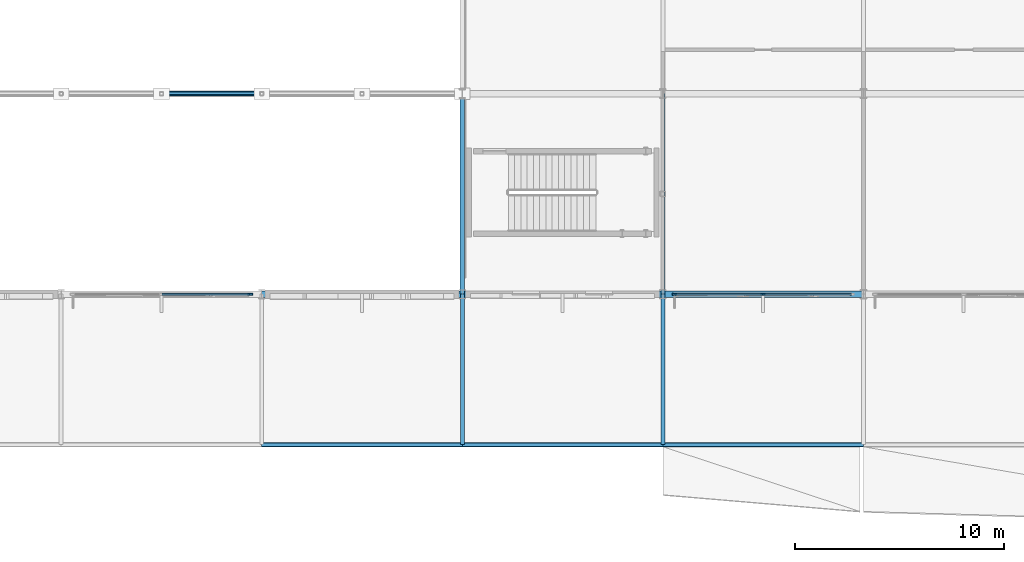
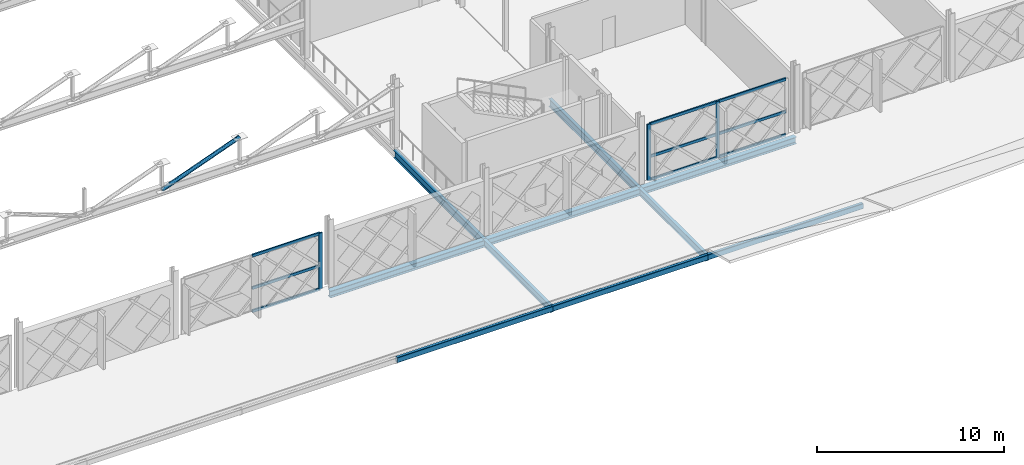
# One storey, part 29 of 101: 13 members, 10 beams, 2 elements without a shape of their own.
"""IFC4 building model written with IfcOpenShell, lengths in metres."""

from ifc_helpers import new_model, si_unit, direction, frame, origin, origin_2d, place, context, subcontext, project, spatial, rectangle, hollow_rectangle, hollow_circle, i_section, extrude, material, layer, layer_set, material_profile, profile_set, type_object, element, aggregate, save


model = new_model("IFC4")

# Units and contexts
model_context = context("Model", 3, precision=1e-05, world=origin(), true_north=direction((0.0, 1.0)))
body_context = subcontext(model_context, "Body", "Model", "MODEL_VIEW")
ifc_project = project(units=[si_unit("LENGTHUNIT", "METRE"), si_unit("AREAUNIT", "SQUARE_METRE"), si_unit("VOLUMEUNIT", "CUBIC_METRE"), si_unit("PLANEANGLEUNIT", "RADIAN"), si_unit("MASSUNIT", "GRAM", prefix="KILO")], contexts=[model_context])

# Site, building, storey
site_placement = place(None, origin())
site = spatial("IfcSite", under=ifc_project, at=site_placement, CompositionType="ELEMENT")
building_placement = place(site_placement, origin())
building = spatial("IfcBuilding", under=site, at=building_placement, Name="Zevrakil Square Congress Hotel", CompositionType="ELEMENT")
storey_placement = place(building_placement, frame((0.0, 0.0, 5.39990234375)))
storey = spatial("IfcBuildingStorey", under=building, at=storey_placement, Name="L02", CompositionType="ELEMENT", Elevation=5.39990234375)

# Beams
ifc_material_1 = material(Name="Steel S355", Category="steel")
ifc_material_profile_1 = material_profile(ifc_material_1, i_section(OverallWidth=0.300048828125, OverallDepth=0.43994140625, WebThickness=0.011474609375, FlangeThickness=0.02099609375, FilletRadius=0.027099609375, at=origin_2d()), Name="HEA 450")
ifc_profile_set_1 = profile_set([ifc_material_profile_1], Name="Steel S355")
beam_type_1 = type_object("IfcBeamType", Name="BM-HEA450", PredefinedType="BEAM", material=ifc_profile_set_1)
beam_1_placement = place(storey_placement, frame((36.0, 7.199951171875, -0.47998046875), z_axis=(1.0, 0.0, 0.0), x_axis=(0.0, 1.0, 0.0)))
element("IfcBeam", 1, at=beam_1_placement, inside=storey, type_object=beam_type_1, Name="L02 primary girder BX-0680", PredefinedType="BEAM", context=body_context, shape_type="SweptSolid", body=[
    extrude(i_section(OverallWidth=0.300048828125, OverallDepth=0.43994140625, WebThickness=0.011474609375, FlangeThickness=0.02099609375, FilletRadius=0.027099609375, at=origin_2d()), origin(), (0.0, 0.0, 1.0), 9.60009765625),
])
beam_2_placement = place(storey_placement, frame((45.60009765625, 7.199951171875, -0.47998046875), z_axis=(1.0, 0.0, 0.0), x_axis=(0.0, 1.0, 0.0)))
element("IfcBeam", 2, at=beam_2_placement, inside=storey, type_object=beam_type_1, Name="L02 primary girder BX-0681", PredefinedType="BEAM", context=body_context, shape_type="SweptSolid", body=[
    extrude(i_section(OverallWidth=0.300048828125, OverallDepth=0.43994140625, WebThickness=0.011474609375, FlangeThickness=0.02099609375, FilletRadius=0.027099609375, at=origin_2d()), origin(), (0.0, 0.0, 1.0), 9.599853515625),
])
beam_3_placement = place(storey_placement, frame((55.199951171875, 7.199951171875, -0.47998046875), z_axis=(1.0, 0.0, 0.0), x_axis=(0.0, 1.0, 0.0)))
element("IfcBeam", 3, at=beam_3_placement, inside=storey, type_object=beam_type_1, Name="L02 primary girder BX-0682", PredefinedType="BEAM", context=body_context, shape_type="SweptSolid", body=[
    extrude(i_section(OverallWidth=0.300048828125, OverallDepth=0.43994140625, WebThickness=0.011474609375, FlangeThickness=0.02099609375, FilletRadius=0.027099609375, at=origin_2d()), origin(), (0.0, 0.0, 1.0), 9.60009765625),
])
ifc_material_2 = material(Name="Steel S355", Category="steel")
ifc_material_profile_2 = material_profile(ifc_material_2, i_section(OverallWidth=0.18994140625, OverallDepth=0.449951171875, WebThickness=0.009521484375, FlangeThickness=0.0146484375, FilletRadius=0.02099609375, at=origin_2d()), Name="IPE 450")
ifc_profile_set_2 = profile_set([ifc_material_profile_2], Name="Steel S355")
beam_type_2 = type_object("IfcBeamType", Name="BM-IPE450", PredefinedType="BEAM", material=ifc_profile_set_2)
for number, where, z_axis, x_axis, name in (
    (4, (45.60009765625, 0.0, -0.48486328125), (0.0, 1.0, 0.0), (-1.0, 0.0, 0.0), "L02 primary girder BY-0842"),
    (5, (55.199951171875, 0.0, -0.48486328125), (0.0, 1.0, 0.0), (-1.0, 0.0, 0.0), "L02 primary girder BY-0854"),
):
    element("IfcBeam", number, at=place(storey_placement, frame(where, z_axis=z_axis, x_axis=x_axis)), inside=storey, type_object=beam_type_2, Name=name, PredefinedType="BEAM", context=body_context, shape_type="SweptSolid", body=[
        extrude(i_section(OverallWidth=0.18994140625, OverallDepth=0.449951171875, WebThickness=0.009521484375, FlangeThickness=0.0146484375, FilletRadius=0.02099609375, at=origin_2d()), origin(), (0.0, 0.0, 1.0), 7.199951171875),
    ])
ifc_material_3 = material(Name="Steel S355", Category="steel")
ifc_material_profile_3 = material_profile(ifc_material_3, i_section(OverallWidth=0.199951171875, OverallDepth=0.5, WebThickness=0.01025390625, FlangeThickness=0.01611328125, FilletRadius=0.02099609375, at=origin_2d()), Name="IPE 500")
ifc_profile_set_3 = profile_set([ifc_material_profile_3], Name="Steel S355")
beam_type_3 = type_object("IfcBeamType", Name="BM-IPE500", PredefinedType="BEAM", material=ifc_profile_set_3)
for number, where, z_axis, x_axis, name in (
    (6, (45.60009765625, 7.199951171875, -0.510009765625), (0.0, 1.0, 0.0), (-1.0, 0.0, 0.0), "L02 primary girder BY-0843"),
    (7, (55.199951171875, 7.199951171875, -0.510009765625), (0.0, 1.0, 0.0), (-1.0, 0.0, 0.0), "L02 primary girder BY-0855"),
):
    element("IfcBeam", number, at=place(storey_placement, frame(where, z_axis=z_axis, x_axis=x_axis)), inside=storey, type_object=beam_type_3, Name=name, PredefinedType="BEAM", context=body_context, shape_type="SweptSolid", body=[
        extrude(i_section(OverallWidth=0.199951171875, OverallDepth=0.5, WebThickness=0.01025390625, FlangeThickness=0.01611328125, FilletRadius=0.02099609375, at=origin_2d()), origin(), (0.0, 0.0, 1.0), 9.60009765625),
    ])

# Curtain wall, members
ifc_material_4 = material(Name="Aluminium Anodised Bronze", Category="aluminium")
ifc_layer = layer(ifc_material_4, 0.179931640625)
ifc_layer_set = layer_set([ifc_layer], Name="Aluminium Anodised Bronze")
curtain_wall_type = type_object("IfcCurtainWallType", Name="CW-L02-840", PredefinedType="USERDEFINED", material=ifc_layer_set)
curtain_wall_1_placement = place(storey_placement, origin())
curtain_wall_1 = element("IfcCurtainWall", 8, at=curtain_wall_1_placement, inside=storey, type_object=curtain_wall_type, Name="L02 diamond curtain wall CW-L02-0002", ObjectType="GLAZED CURTAIN WALL", PredefinedType="USERDEFINED")
ifc_material_5 = material(Name="Aluminium Anodised Bronze", Category="aluminium")
ifc_material_profile_4 = material_profile(ifc_material_5, rectangle(XDim=0.0849609375, YDim=0.179931640625, at=origin_2d()), Name="ALU 85x180")
ifc_profile_set_4 = profile_set([ifc_material_profile_4], Name="Aluminium Anodised Bronze")
member_type_1 = type_object("IfcMemberType", Name="CWM-ALU85x180", PredefinedType="USERDEFINED", material=ifc_profile_set_4)
member_1_placement = place(storey_placement, frame((31.22998046875, 7.199951171875, 0.030029296875), z_axis=(1.0, 0.0, 0.0), x_axis=(0.0, 1.0, 0.0)))
member_1 = element("IfcMember", 9, at=member_1_placement, type_object=member_type_1, Name="CW-23 transom 2.1", ObjectType="TRANSOM", PredefinedType="USERDEFINED", context=body_context, shape_type="SweptSolid", body=[
    extrude(rectangle(XDim=0.0849609375, YDim=0.179931640625, at=origin_2d()), origin(), (0.0, 0.0, 1.0), 4.18994140625),
])
member_2_placement = place(storey_placement, frame((31.22998046875, 7.199951171875, 1.5478515625), z_axis=(1.0, 0.0, 0.0), x_axis=(0.0, 1.0, 0.0)))
member_2 = element("IfcMember", 10, at=member_2_placement, type_object=member_type_1, Name="CW-23 transom 2.2", ObjectType="TRANSOM", PredefinedType="USERDEFINED", context=body_context, shape_type="SweptSolid", body=[
    extrude(rectangle(XDim=0.0849609375, YDim=0.179931640625, at=origin_2d()), origin(), (0.0, 0.0, 1.0), 4.18994140625),
])
member_3_placement = place(storey_placement, frame((31.22998046875, 7.199951171875, 3.655029296875), z_axis=(1.0, 0.0, 0.0), x_axis=(0.0, 1.0, 0.0)))
member_3 = element("IfcMember", 11, at=member_3_placement, type_object=member_type_1, Name="CW-23 transom 2.3", ObjectType="TRANSOM", PredefinedType="USERDEFINED", context=body_context, shape_type="SweptSolid", body=[
    extrude(rectangle(XDim=0.0849609375, YDim=0.179931640625, at=origin_2d()), origin(), (0.0, 0.0, 1.0), 4.18994140625),
])

curtain_wall_2_placement = place(storey_placement, origin())
curtain_wall_2 = element("IfcCurtainWall", 12, at=curtain_wall_2_placement, inside=storey, type_object=curtain_wall_type, Name="L02 diamond curtain wall CW-L02-0004", ObjectType="GLAZED CURTAIN WALL", PredefinedType="USERDEFINED")
member_4_placement = place(storey_placement, frame((55.780029296875, 7.199951171875, 0.030029296875), z_axis=(1.0, 0.0, 0.0), x_axis=(0.0, 1.0, 0.0)))
member_4 = element("IfcMember", 13, at=member_4_placement, type_object=member_type_1, Name="CW-23 transom 1.1", ObjectType="TRANSOM", PredefinedType="USERDEFINED", context=body_context, shape_type="SweptSolid", body=[
    extrude(rectangle(XDim=0.0849609375, YDim=0.179931640625, at=origin_2d()), origin(), (0.0, 0.0, 1.0), 4.18994140625),
])
member_5_placement = place(storey_placement, frame((55.780029296875, 7.199951171875, 1.5478515625), z_axis=(1.0, 0.0, 0.0), x_axis=(0.0, 1.0, 0.0)))
member_5 = element("IfcMember", 14, at=member_5_placement, type_object=member_type_1, Name="CW-23 transom 1.2", ObjectType="TRANSOM", PredefinedType="USERDEFINED", context=body_context, shape_type="SweptSolid", body=[
    extrude(rectangle(XDim=0.0849609375, YDim=0.179931640625, at=origin_2d()), origin(), (0.0, 0.0, 1.0), 4.18994140625),
])
member_6_placement = place(storey_placement, frame((55.780029296875, 7.199951171875, 3.655029296875), z_axis=(1.0, 0.0, 0.0), x_axis=(0.0, 1.0, 0.0)))
member_6 = element("IfcMember", 15, at=member_6_placement, type_object=member_type_1, Name="CW-23 transom 1.3", ObjectType="TRANSOM", PredefinedType="USERDEFINED", context=body_context, shape_type="SweptSolid", body=[
    extrude(rectangle(XDim=0.0849609375, YDim=0.179931640625, at=origin_2d()), origin(), (0.0, 0.0, 1.0), 4.18994140625),
])
member_7_placement = place(storey_placement, frame((60.030029296875, 7.199951171875, 0.030029296875), z_axis=(1.0, 0.0, 0.0), x_axis=(0.0, 1.0, 0.0)))
member_7 = element("IfcMember", 16, at=member_7_placement, type_object=member_type_1, Name="CW-23 transom 2.1", ObjectType="TRANSOM", PredefinedType="USERDEFINED", context=body_context, shape_type="SweptSolid", body=[
    extrude(rectangle(XDim=0.0849609375, YDim=0.179931640625, at=origin_2d()), origin(), (0.0, 0.0, 1.0), 4.18994140625),
])
member_8_placement = place(storey_placement, frame((60.030029296875, 7.199951171875, 1.5478515625), z_axis=(1.0, 0.0, 0.0), x_axis=(0.0, 1.0, 0.0)))
member_8 = element("IfcMember", 17, at=member_8_placement, type_object=member_type_1, Name="CW-23 transom 2.2", ObjectType="TRANSOM", PredefinedType="USERDEFINED", context=body_context, shape_type="SweptSolid", body=[
    extrude(rectangle(XDim=0.0849609375, YDim=0.179931640625, at=origin_2d()), origin(), (0.0, 0.0, 1.0), 4.18994140625),
])
member_9_placement = place(storey_placement, frame((60.030029296875, 7.199951171875, 3.655029296875), z_axis=(1.0, 0.0, 0.0), x_axis=(0.0, 1.0, 0.0)))
member_9 = element("IfcMember", 18, at=member_9_placement, type_object=member_type_1, Name="CW-23 transom 2.3", ObjectType="TRANSOM", PredefinedType="USERDEFINED", context=body_context, shape_type="SweptSolid", body=[
    extrude(rectangle(XDim=0.0849609375, YDim=0.179931640625, at=origin_2d()), origin(), (0.0, 0.0, 1.0), 4.18994140625),
])

# Member
ifc_material_6 = material(Name="Aluminium Anodised Bronze", Category="aluminium")
ifc_material_profile_5 = material_profile(ifc_material_6, rectangle(XDim=0.0849609375, YDim=0.219970703125, at=origin_2d()), Name="ALU 85x220")
ifc_profile_set_5 = profile_set([ifc_material_profile_5], Name="Aluminium Anodised Bronze")
member_type_2 = type_object("IfcMemberType", Name="CWM-ALU85x220", PredefinedType="MULLION", material=ifc_profile_set_5)
member_10_placement = place(storey_placement, frame((35.449951171875, 7.199951171875, 0.0), z_axis=(0.0, 0.0, 1.0), x_axis=(0.0, 1.0, 0.0)))
member_10 = element("IfcMember", 19, at=member_10_placement, type_object=member_type_2, Name="CW-23 mullion 3", PredefinedType="MULLION", context=body_context, shape_type="SweptSolid", body=[
    extrude(rectangle(XDim=0.0849609375, YDim=0.219970703125, at=origin_2d()), origin(), (0.0, 0.0, 1.0), 3.68505859375),
])

aggregate(curtain_wall_1, [member_10, member_1, member_2, member_3])

member_11_placement = place(storey_placement, frame((55.75, 7.199951171875, 0.0), z_axis=(0.0, 0.0, 1.0), x_axis=(0.0, 1.0, 0.0)))
member_11 = element("IfcMember", 20, at=member_11_placement, type_object=member_type_2, Name="CW-23 mullion 1", PredefinedType="MULLION", context=body_context, shape_type="SweptSolid", body=[
    extrude(rectangle(XDim=0.0849609375, YDim=0.219970703125, at=origin_2d()), origin(), (0.0, 0.0, 1.0), 3.68505859375),
])

member_12_placement = place(storey_placement, frame((60.0, 7.199951171875, 0.0), z_axis=(0.0, 0.0, 1.0), x_axis=(0.0, 1.0, 0.0)))
member_12 = element("IfcMember", 21, at=member_12_placement, type_object=member_type_2, Name="CW-23 mullion 2", PredefinedType="MULLION", context=body_context, shape_type="SweptSolid", body=[
    extrude(rectangle(XDim=0.0849609375, YDim=0.219970703125, at=origin_2d()), origin(), (0.0, 0.0, 1.0), 3.68505859375),
])

aggregate(curtain_wall_2, [member_11, member_12, member_4, member_5, member_6, member_7, member_8, member_9])

ifc_material_7 = material(Name="Steel S355", Category="steel")
ifc_material_profile_6 = material_profile(ifc_material_7, hollow_circle(Radius=0.122314453125, WallThickness=0.012451171875, at=origin_2d()), Name="CHS 244.5x12.5")
ifc_profile_set_6 = profile_set([ifc_material_profile_6], Name="Steel S355")
member_type_3 = type_object("IfcMemberType", Name="MEM-BRACE-CHS244", PredefinedType="BRACE", material=ifc_profile_set_6)
member_13_placement = place(storey_placement, frame((31.199951171875, 16.800048828125, 2.150146484375), z_axis=(0.937932774607, 0.0, 0.346817113646), x_axis=(0.0, 1.0, 0.0)))
element("IfcMember", 22, at=member_13_placement, inside=storey, type_object=member_type_3, Name="Ballroom Pratt truss diagonal BTD-15", PredefinedType="BRACE", context=body_context, shape_type="SweptSolid", body=[
    extrude(hollow_circle(Radius=0.122314453125, WallThickness=0.012451171875, at=origin_2d()), origin(), (0.0, 0.0, 1.0), 5.11767578125),
])

# Beams
ifc_material_8 = material(Name="Steel S355", Category="steel")
ifc_material_profile_7 = material_profile(ifc_material_8, hollow_rectangle(XDim=0.199951171875, YDim=0.35009765625, WallThickness=0.01611328125, InnerFilletRadius=0.01611328125, OuterFilletRadius=0.031982421875, at=origin_2d()), Name="RHS 350x200x16")
ifc_profile_set_7 = profile_set([ifc_material_profile_7], Name="Steel S355")
beam_type_4 = type_object("IfcBeamType", Name="SPD-RHS350", PredefinedType="SPANDREL", material=ifc_profile_set_7)
beam_4_placement = place(storey_placement, frame((36.0, 0.0, -0.434814453125), z_axis=(1.0, 0.0, 0.0), x_axis=(0.0, 1.0, 0.0)))
element("IfcBeam", 23, at=beam_4_placement, inside=storey, type_object=beam_type_4, Name="L02 primary girder BX-0661", PredefinedType="SPANDREL", context=body_context, shape_type="SweptSolid", body=[
    extrude(hollow_rectangle(XDim=0.199951171875, YDim=0.35009765625, WallThickness=0.01611328125, InnerFilletRadius=0.01611328125, OuterFilletRadius=0.031982421875, at=origin_2d()), origin(), (0.0, 0.0, 1.0), 9.60009765625),
])
beam_5_placement = place(storey_placement, frame((45.60009765625, 0.0, -0.434814453125), z_axis=(1.0, 0.0, 0.0), x_axis=(0.0, 1.0, 0.0)))
element("IfcBeam", 24, at=beam_5_placement, inside=storey, type_object=beam_type_4, Name="L02 primary girder BX-0662", PredefinedType="SPANDREL", context=body_context, shape_type="SweptSolid", body=[
    extrude(hollow_rectangle(XDim=0.199951171875, YDim=0.35009765625, WallThickness=0.01611328125, InnerFilletRadius=0.01611328125, OuterFilletRadius=0.031982421875, at=origin_2d()), origin(), (0.0, 0.0, 1.0), 9.599853515625),
])
beam_6_placement = place(storey_placement, frame((55.199951171875, 0.0, -0.434814453125), z_axis=(1.0, 0.0, 0.0), x_axis=(0.0, 1.0, 0.0)))
element("IfcBeam", 25, at=beam_6_placement, inside=storey, type_object=beam_type_4, Name="L02 primary girder BX-0663", PredefinedType="SPANDREL", context=body_context, shape_type="SweptSolid", body=[
    extrude(hollow_rectangle(XDim=0.199951171875, YDim=0.35009765625, WallThickness=0.01611328125, InnerFilletRadius=0.01611328125, OuterFilletRadius=0.031982421875, at=origin_2d()), origin(), (0.0, 0.0, 1.0), 9.60009765625),
])

save(model, "model.ifc")
